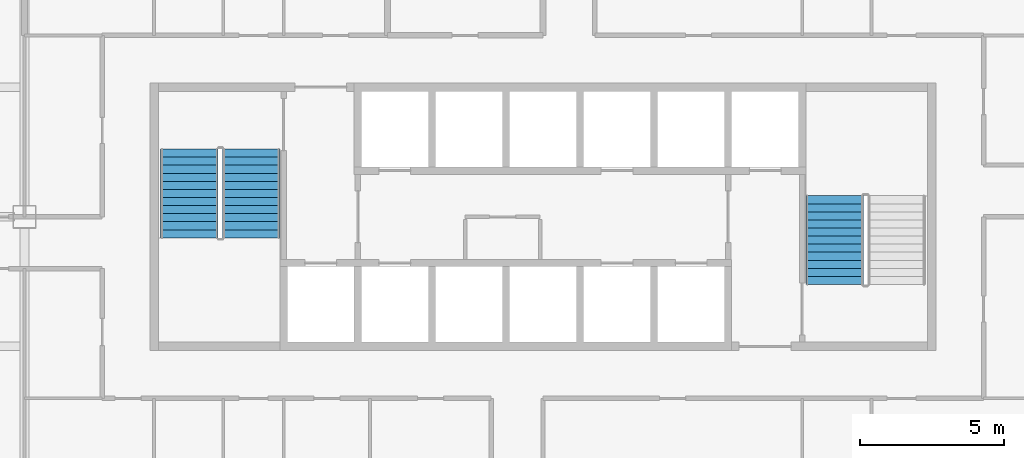
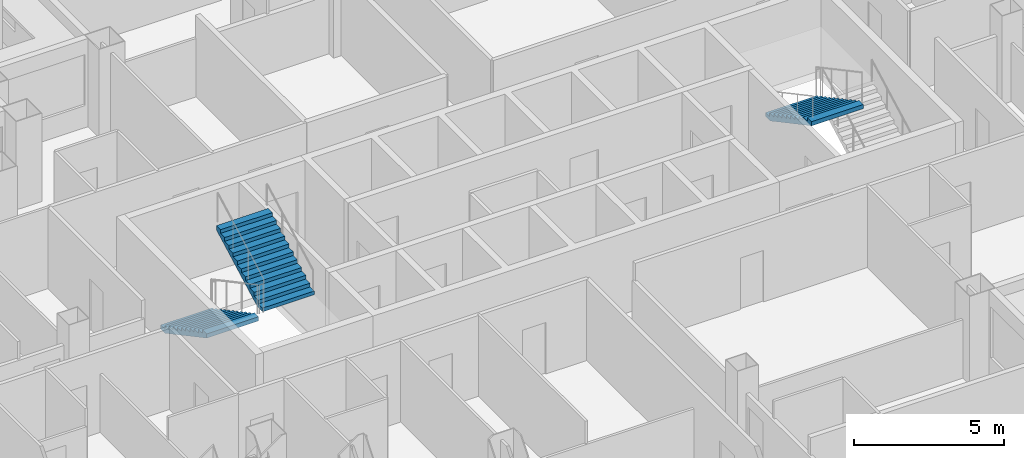
# One storey, part 11 of 19: 3 stair flights, 2 elements without a shape of their own.
"""IFC4 building model written with IfcOpenShell, lengths in metres."""

from ifc_helpers import new_model, si_unit, direction, frame, origin, place, context, subcontext, project, spatial, polygons, material, type_object, element, aggregate, save


model = new_model("IFC4")

# Units and contexts
model_context = context("Model", 3, precision=1e-05, world=origin(), true_north=direction((0.0, 1.0)))
body_context = subcontext(model_context, "Body", "Model", "MODEL_VIEW")
ifc_project = project(units=[si_unit("LENGTHUNIT", "METRE"), si_unit("AREAUNIT", "SQUARE_METRE"), si_unit("VOLUMEUNIT", "CUBIC_METRE"), si_unit("PLANEANGLEUNIT", "RADIAN"), si_unit("MASSUNIT", "GRAM", prefix="KILO")], contexts=[model_context])

# Site, building, storey
site_placement = place(None, origin())
site = spatial("IfcSite", under=ifc_project, at=site_placement, CompositionType="ELEMENT")
building_placement = place(site_placement, origin())
building = spatial("IfcBuilding", under=site, at=building_placement, Name="Caravel Reach Hotel and Residences", CompositionType="ELEMENT")
storey_placement = place(building_placement, frame((0.0, 0.0, 63.60009765625)))
storey = spatial("IfcBuildingStorey", under=building, at=storey_placement, Name="L14", CompositionType="ELEMENT", Elevation=63.60009765625)

# Stair, stair flights
ifc_material_1 = material(Name="Concrete C40", Category="concrete")
stair_type = type_object("IfcStairType", Name="Core stair", PredefinedType="HALF_TURN_STAIR", material=ifc_material_1)
stair_1_placement = place(storey_placement, origin())
stair_1 = element("IfcStair", 1, at=stair_1_placement, inside=storey, type_object=stair_type, Name="L14 Exit stair A", PredefinedType="HALF_TURN_STAIR")
ifc_material_2 = material(Name="Concrete C40", Category="concrete")
stair_flight_type = type_object("IfcStairFlightType", Name="Core stair flight", PredefinedType="STRAIGHT", material=ifc_material_2)
stair_flight_1_placement = place(storey_placement, frame((19.22509765625, 29.35009765625, 0.0), z_axis=(0.0, 0.0, 1.0), x_axis=(0.0, -1.0, 0.0)))
stair_flight_1 = element("IfcStairFlight", 2, at=stair_flight_1_placement, type_object=stair_flight_type, Name="ST-A flight 1", NumberOfRisers=12, NumberOfTreads=11, PredefinedType="STRAIGHT", RiserHeight=0.15, TreadLength=0.28, context=body_context, shape_type="Tessellation", body=[
    polygons([(0.3174408016601862, 1.0, 0.0), (0.3174408016601862, 0.6666666666666667, 0.0), (0.3174408016601862, 0.33333333333333337, 0.0), (0.3174408016601862, 0.0, 0.0), (0.3174408016601862, -0.33333333333333326, 0.0), (0.3174408016601862, -0.6666666666666667, 0.0), (0.3174408016601862, -1.0, 0.0), (3.081, 1.0, 1.479942427682043), (3.081, 0.6666666666666667, 1.479942427682043), (3.081, 0.33333333333333337, 1.479942427682043), (3.081, 0.0, 1.479942427682043), (3.081, -0.33333333333333326, 1.479942427682043), (3.081, -0.6666666666666667, 1.479942427682043), (3.081, -1.0, 1.479942427682043), (3.081, 1.0, 1.65), (3.081, 0.6666666666666667, 1.65), (3.081, 0.33333333333333337, 1.65), (3.081, 0.0, 1.65), (3.081, -0.33333333333333326, 1.65), (3.081, -0.6666666666666667, 1.65), (3.081, -1.0, 1.65), (2.8000000000000003, 1.0, 1.65), (2.8000000000000003, 0.6666666666666667, 1.65), (2.8000000000000003, 0.33333333333333337, 1.65), (2.8000000000000003, 0.0, 1.65), (2.8000000000000003, -0.33333333333333326, 1.65), (2.8000000000000003, -0.6666666666666667, 1.65), (2.8000000000000003, -1.0, 1.65), (2.8000000000000003, 1.0, 1.5), (2.8000000000000003, 0.6666666666666667, 1.5), (2.8000000000000003, 0.33333333333333337, 1.5), (2.8000000000000003, 0.0, 1.5), (2.8000000000000003, -0.33333333333333326, 1.5), (2.8000000000000003, -0.6666666666666667, 1.5), (2.8000000000000003, -1.0, 1.5), (2.5200000000000005, 1.0, 1.5), (2.5200000000000005, 0.6666666666666667, 1.5), (2.5200000000000005, 0.33333333333333337, 1.5), (2.5200000000000005, 0.0, 1.5), (2.5200000000000005, -0.33333333333333326, 1.5), (2.5200000000000005, -0.6666666666666667, 1.5), (2.5200000000000005, -1.0, 1.5), (2.5200000000000005, 1.0, 1.3499999999999999), (2.5200000000000005, 0.6666666666666667, 1.3499999999999999), (2.5200000000000005, 0.33333333333333337, 1.3499999999999999), (2.5200000000000005, 0.0, 1.3499999999999999), (2.5200000000000005, -0.33333333333333326, 1.3499999999999999), (2.5200000000000005, -0.6666666666666667, 1.3499999999999999), (2.5200000000000005, -1.0, 1.3499999999999999), (2.24, 1.0, 1.3499999999999999), (2.24, 0.6666666666666667, 1.3499999999999999), (2.24, 0.33333333333333337, 1.3499999999999999), (2.24, 0.0, 1.3499999999999999), (2.24, -0.33333333333333326, 1.3499999999999999), (2.24, -0.6666666666666667, 1.3499999999999999), (2.24, -1.0, 1.3499999999999999), (2.24, 1.0, 1.2), (2.24, 0.6666666666666667, 1.2), (2.24, 0.33333333333333337, 1.2), (2.24, 0.0, 1.2), (2.24, -0.33333333333333326, 1.2), (2.24, -0.6666666666666667, 1.2), (2.24, -1.0, 1.2), (1.9600000000000002, 1.0, 1.2), (1.9600000000000002, 0.6666666666666667, 1.2), (1.9600000000000002, 0.33333333333333337, 1.2), (1.9600000000000002, 0.0, 1.2), (1.9600000000000002, -0.33333333333333326, 1.2), (1.9600000000000002, -0.6666666666666667, 1.2), (1.9600000000000002, -1.0, 1.2), (1.9600000000000002, 1.0, 1.05), (1.9600000000000002, 0.6666666666666667, 1.05), (1.9600000000000002, 0.33333333333333337, 1.05), (1.9600000000000002, 0.0, 1.05), (1.9600000000000002, -0.33333333333333326, 1.05), (1.9600000000000002, -0.6666666666666667, 1.05), (1.9600000000000002, -1.0, 1.05), (1.6800000000000002, 1.0, 1.05), (1.6800000000000002, 0.6666666666666667, 1.05), (1.6800000000000002, 0.33333333333333337, 1.05), (1.6800000000000002, 0.0, 1.05), (1.6800000000000002, -0.33333333333333326, 1.05), (1.6800000000000002, -0.6666666666666667, 1.05), (1.6800000000000002, -1.0, 1.05), (1.6800000000000002, 1.0, 0.8999999999999999), (1.6800000000000002, 0.6666666666666667, 0.8999999999999999), (1.6800000000000002, 0.33333333333333337, 0.8999999999999999), (1.6800000000000002, 0.0, 0.8999999999999999), (1.6800000000000002, -0.33333333333333326, 0.8999999999999999), (1.6800000000000002, -0.6666666666666667, 0.8999999999999999), (1.6800000000000002, -1.0, 0.8999999999999999), (1.4000000000000001, 1.0, 0.8999999999999999), (1.4000000000000001, 0.6666666666666667, 0.8999999999999999), (1.4000000000000001, 0.33333333333333337, 0.8999999999999999), (1.4000000000000001, 0.0, 0.8999999999999999), (1.4000000000000001, -0.33333333333333326, 0.8999999999999999), (1.4000000000000001, -0.6666666666666667, 0.8999999999999999), (1.4000000000000001, -1.0, 0.8999999999999999), (1.4000000000000001, 1.0, 0.75), (1.4000000000000001, 0.6666666666666667, 0.75), (1.4000000000000001, 0.33333333333333337, 0.75), (1.4000000000000001, 0.0, 0.75), (1.4000000000000001, -0.33333333333333326, 0.75), (1.4000000000000001, -0.6666666666666667, 0.75), (1.4000000000000001, -1.0, 0.75), (1.12, 1.0, 0.75), (1.12, 0.6666666666666667, 0.75), (1.12, 0.33333333333333337, 0.75), (1.12, 0.0, 0.75), (1.12, -0.33333333333333326, 0.75), (1.12, -0.6666666666666667, 0.75), (1.12, -1.0, 0.75), (1.12, 1.0, 0.6), (1.12, 0.6666666666666667, 0.6), (1.12, 0.33333333333333337, 0.6), (1.12, 0.0, 0.6), (1.12, -0.33333333333333326, 0.6), (1.12, -0.6666666666666667, 0.6), (1.12, -1.0, 0.6), (0.8400000000000001, 1.0, 0.6), (0.8400000000000001, 0.6666666666666667, 0.6), (0.8400000000000001, 0.33333333333333337, 0.6), (0.8400000000000001, 0.0, 0.6), (0.8400000000000001, -0.33333333333333326, 0.6), (0.8400000000000001, -0.6666666666666667, 0.6), (0.8400000000000001, -1.0, 0.6), (0.8400000000000001, 1.0, 0.44999999999999996), (0.8400000000000001, 0.6666666666666667, 0.44999999999999996), (0.8400000000000001, 0.33333333333333337, 0.44999999999999996), (0.8400000000000001, 0.0, 0.44999999999999996), (0.8400000000000001, -0.33333333333333326, 0.44999999999999996), (0.8400000000000001, -0.6666666666666667, 0.44999999999999996), (0.8400000000000001, -1.0, 0.44999999999999996), (0.56, 1.0, 0.44999999999999996), (0.56, 0.6666666666666667, 0.44999999999999996), (0.56, 0.33333333333333337, 0.44999999999999996), (0.56, 0.0, 0.44999999999999996), (0.56, -0.33333333333333326, 0.44999999999999996), (0.56, -0.6666666666666667, 0.44999999999999996), (0.56, -1.0, 0.44999999999999996), (0.56, 1.0, 0.3), (0.56, 0.6666666666666667, 0.3), (0.56, 0.33333333333333337, 0.3), (0.56, 0.0, 0.3), (0.56, -0.33333333333333326, 0.3), (0.56, -0.6666666666666667, 0.3), (0.56, -1.0, 0.3), (0.28, 1.0, 0.3), (0.28, 0.6666666666666667, 0.3), (0.28, 0.33333333333333337, 0.3), (0.28, 0.0, 0.3), (0.28, -0.33333333333333326, 0.3), (0.28, -0.6666666666666667, 0.3), (0.28, -1.0, 0.3), (0.28, 1.0, 0.15), (0.28, 0.6666666666666667, 0.15), (0.28, 0.33333333333333337, 0.15), (0.28, 0.0, 0.15), (0.28, -0.33333333333333326, 0.15), (0.28, -0.6666666666666667, 0.15), (0.28, -1.0, 0.15), (-0.001, 1.0, 0.15), (-0.001, 0.6666666666666667, 0.15), (-0.001, 0.33333333333333337, 0.15), (-0.001, 0.0, 0.15), (-0.001, -0.33333333333333326, 0.15), (-0.001, -0.6666666666666667, 0.15), (-0.001, -1.0, 0.15), (-0.001, 1.0, 0.0), (-0.001, 0.6666666666666667, 0.0), (-0.001, 0.33333333333333337, 0.0), (-0.001, 0.0, 0.0), (-0.001, -0.33333333333333326, 0.0), (-0.001, -0.6666666666666667, 0.0), (-0.001, -1.0, 0.0)], [[[169, 162, 155, 148, 141, 134, 127, 120, 113, 106, 99, 92, 85, 78, 71, 64, 57, 50, 43, 36, 29, 22, 15, 8, 1]], [[7, 14, 21, 28, 35, 42, 49, 56, 63, 70, 77, 84, 91, 98, 105, 112, 119, 126, 133, 140, 147, 154, 161, 168, 175]], [[1, 8, 9, 2]], [[2, 9, 10, 3]], [[3, 10, 11, 4]], [[4, 11, 12, 5]], [[5, 12, 13, 6]], [[6, 13, 14, 7]], [[8, 15, 16, 9]], [[9, 16, 17, 10]], [[10, 17, 18, 11]], [[11, 18, 19, 12]], [[12, 19, 20, 13]], [[13, 20, 21, 14]], [[15, 22, 23, 16]], [[16, 23, 24, 17]], [[17, 24, 25, 18]], [[18, 25, 26, 19]], [[19, 26, 27, 20]], [[20, 27, 28, 21]], [[22, 29, 30, 23]], [[23, 30, 31, 24]], [[24, 31, 32, 25]], [[25, 32, 33, 26]], [[26, 33, 34, 27]], [[27, 34, 35, 28]], [[29, 36, 37, 30]], [[30, 37, 38, 31]], [[31, 38, 39, 32]], [[32, 39, 40, 33]], [[33, 40, 41, 34]], [[34, 41, 42, 35]], [[36, 43, 44, 37]], [[37, 44, 45, 38]], [[38, 45, 46, 39]], [[39, 46, 47, 40]], [[40, 47, 48, 41]], [[41, 48, 49, 42]], [[43, 50, 51, 44]], [[44, 51, 52, 45]], [[45, 52, 53, 46]], [[46, 53, 54, 47]], [[47, 54, 55, 48]], [[48, 55, 56, 49]], [[50, 57, 58, 51]], [[51, 58, 59, 52]], [[52, 59, 60, 53]], [[53, 60, 61, 54]], [[54, 61, 62, 55]], [[55, 62, 63, 56]], [[57, 64, 65, 58]], [[58, 65, 66, 59]], [[59, 66, 67, 60]], [[60, 67, 68, 61]], [[61, 68, 69, 62]], [[62, 69, 70, 63]], [[64, 71, 72, 65]], [[65, 72, 73, 66]], [[66, 73, 74, 67]], [[67, 74, 75, 68]], [[68, 75, 76, 69]], [[69, 76, 77, 70]], [[71, 78, 79, 72]], [[72, 79, 80, 73]], [[73, 80, 81, 74]], [[74, 81, 82, 75]], [[75, 82, 83, 76]], [[76, 83, 84, 77]], [[78, 85, 86, 79]], [[79, 86, 87, 80]], [[80, 87, 88, 81]], [[81, 88, 89, 82]], [[82, 89, 90, 83]], [[83, 90, 91, 84]], [[85, 92, 93, 86]], [[86, 93, 94, 87]], [[87, 94, 95, 88]], [[88, 95, 96, 89]], [[89, 96, 97, 90]], [[90, 97, 98, 91]], [[92, 99, 100, 93]], [[93, 100, 101, 94]], [[94, 101, 102, 95]], [[95, 102, 103, 96]], [[96, 103, 104, 97]], [[97, 104, 105, 98]], [[99, 106, 107, 100]], [[100, 107, 108, 101]], [[101, 108, 109, 102]], [[102, 109, 110, 103]], [[103, 110, 111, 104]], [[104, 111, 112, 105]], [[106, 113, 114, 107]], [[107, 114, 115, 108]], [[108, 115, 116, 109]], [[109, 116, 117, 110]], [[110, 117, 118, 111]], [[111, 118, 119, 112]], [[113, 120, 121, 114]], [[114, 121, 122, 115]], [[115, 122, 123, 116]], [[116, 123, 124, 117]], [[117, 124, 125, 118]], [[118, 125, 126, 119]], [[120, 127, 128, 121]], [[121, 128, 129, 122]], [[122, 129, 130, 123]], [[123, 130, 131, 124]], [[124, 131, 132, 125]], [[125, 132, 133, 126]], [[127, 134, 135, 128]], [[128, 135, 136, 129]], [[129, 136, 137, 130]], [[130, 137, 138, 131]], [[131, 138, 139, 132]], [[132, 139, 140, 133]], [[134, 141, 142, 135]], [[135, 142, 143, 136]], [[136, 143, 144, 137]], [[137, 144, 145, 138]], [[138, 145, 146, 139]], [[139, 146, 147, 140]], [[141, 148, 149, 142]], [[142, 149, 150, 143]], [[143, 150, 151, 144]], [[144, 151, 152, 145]], [[145, 152, 153, 146]], [[146, 153, 154, 147]], [[148, 155, 156, 149]], [[149, 156, 157, 150]], [[150, 157, 158, 151]], [[151, 158, 159, 152]], [[152, 159, 160, 153]], [[153, 160, 161, 154]], [[155, 162, 163, 156]], [[156, 163, 164, 157]], [[157, 164, 165, 158]], [[158, 165, 166, 159]], [[159, 166, 167, 160]], [[160, 167, 168, 161]], [[162, 169, 170, 163]], [[163, 170, 171, 164]], [[164, 171, 172, 165]], [[165, 172, 173, 166]], [[166, 173, 174, 167]], [[167, 174, 175, 168]], [[169, 1, 2, 170]], [[170, 2, 3, 171]], [[171, 3, 4, 172]], [[172, 4, 5, 173]], [[173, 5, 6, 174]], [[174, 6, 7, 175]]], closed=True),
])
stair_flight_2_placement = place(storey_placement, frame((21.375, 26.27001953125, 1.7998046875), z_axis=(0.0, 0.0, 1.0), x_axis=(0.0, 1.0, 0.0)))
stair_flight_2 = element("IfcStairFlight", 3, at=stair_flight_2_placement, type_object=stair_flight_type, Name="ST-A flight 2", NumberOfRisers=12, NumberOfTreads=11, PredefinedType="STRAIGHT", RiserHeight=0.15, TreadLength=0.28, context=body_context, shape_type="Tessellation", body=[
    polygons([(0.3174408016601862, 1.0, 0.0), (0.3174408016601862, 0.6666666666666667, 0.0), (0.3174408016601862, 0.33333333333333337, 0.0), (0.3174408016601862, 0.0, 0.0), (0.3174408016601862, -0.33333333333333326, 0.0), (0.3174408016601862, -0.6666666666666667, 0.0), (0.3174408016601862, -1.0, 0.0), (3.081, 1.0, 1.479942427682043), (3.081, 0.6666666666666667, 1.479942427682043), (3.081, 0.33333333333333337, 1.479942427682043), (3.081, 0.0, 1.479942427682043), (3.081, -0.33333333333333326, 1.479942427682043), (3.081, -0.6666666666666667, 1.479942427682043), (3.081, -1.0, 1.479942427682043), (3.081, 1.0, 1.65), (3.081, 0.6666666666666667, 1.65), (3.081, 0.33333333333333337, 1.65), (3.081, 0.0, 1.65), (3.081, -0.33333333333333326, 1.65), (3.081, -0.6666666666666667, 1.65), (3.081, -1.0, 1.65), (2.8000000000000003, 1.0, 1.65), (2.8000000000000003, 0.6666666666666667, 1.65), (2.8000000000000003, 0.33333333333333337, 1.65), (2.8000000000000003, 0.0, 1.65), (2.8000000000000003, -0.33333333333333326, 1.65), (2.8000000000000003, -0.6666666666666667, 1.65), (2.8000000000000003, -1.0, 1.65), (2.8000000000000003, 1.0, 1.5), (2.8000000000000003, 0.6666666666666667, 1.5), (2.8000000000000003, 0.33333333333333337, 1.5), (2.8000000000000003, 0.0, 1.5), (2.8000000000000003, -0.33333333333333326, 1.5), (2.8000000000000003, -0.6666666666666667, 1.5), (2.8000000000000003, -1.0, 1.5), (2.5200000000000005, 1.0, 1.5), (2.5200000000000005, 0.6666666666666667, 1.5), (2.5200000000000005, 0.33333333333333337, 1.5), (2.5200000000000005, 0.0, 1.5), (2.5200000000000005, -0.33333333333333326, 1.5), (2.5200000000000005, -0.6666666666666667, 1.5), (2.5200000000000005, -1.0, 1.5), (2.5200000000000005, 1.0, 1.3499999999999999), (2.5200000000000005, 0.6666666666666667, 1.3499999999999999), (2.5200000000000005, 0.33333333333333337, 1.3499999999999999), (2.5200000000000005, 0.0, 1.3499999999999999), (2.5200000000000005, -0.33333333333333326, 1.3499999999999999), (2.5200000000000005, -0.6666666666666667, 1.3499999999999999), (2.5200000000000005, -1.0, 1.3499999999999999), (2.24, 1.0, 1.3499999999999999), (2.24, 0.6666666666666667, 1.3499999999999999), (2.24, 0.33333333333333337, 1.3499999999999999), (2.24, 0.0, 1.3499999999999999), (2.24, -0.33333333333333326, 1.3499999999999999), (2.24, -0.6666666666666667, 1.3499999999999999), (2.24, -1.0, 1.3499999999999999), (2.24, 1.0, 1.2), (2.24, 0.6666666666666667, 1.2), (2.24, 0.33333333333333337, 1.2), (2.24, 0.0, 1.2), (2.24, -0.33333333333333326, 1.2), (2.24, -0.6666666666666667, 1.2), (2.24, -1.0, 1.2), (1.9600000000000002, 1.0, 1.2), (1.9600000000000002, 0.6666666666666667, 1.2), (1.9600000000000002, 0.33333333333333337, 1.2), (1.9600000000000002, 0.0, 1.2), (1.9600000000000002, -0.33333333333333326, 1.2), (1.9600000000000002, -0.6666666666666667, 1.2), (1.9600000000000002, -1.0, 1.2), (1.9600000000000002, 1.0, 1.05), (1.9600000000000002, 0.6666666666666667, 1.05), (1.9600000000000002, 0.33333333333333337, 1.05), (1.9600000000000002, 0.0, 1.05), (1.9600000000000002, -0.33333333333333326, 1.05), (1.9600000000000002, -0.6666666666666667, 1.05), (1.9600000000000002, -1.0, 1.05), (1.6800000000000002, 1.0, 1.05), (1.6800000000000002, 0.6666666666666667, 1.05), (1.6800000000000002, 0.33333333333333337, 1.05), (1.6800000000000002, 0.0, 1.05), (1.6800000000000002, -0.33333333333333326, 1.05), (1.6800000000000002, -0.6666666666666667, 1.05), (1.6800000000000002, -1.0, 1.05), (1.6800000000000002, 1.0, 0.8999999999999999), (1.6800000000000002, 0.6666666666666667, 0.8999999999999999), (1.6800000000000002, 0.33333333333333337, 0.8999999999999999), (1.6800000000000002, 0.0, 0.8999999999999999), (1.6800000000000002, -0.33333333333333326, 0.8999999999999999), (1.6800000000000002, -0.6666666666666667, 0.8999999999999999), (1.6800000000000002, -1.0, 0.8999999999999999), (1.4000000000000001, 1.0, 0.8999999999999999), (1.4000000000000001, 0.6666666666666667, 0.8999999999999999), (1.4000000000000001, 0.33333333333333337, 0.8999999999999999), (1.4000000000000001, 0.0, 0.8999999999999999), (1.4000000000000001, -0.33333333333333326, 0.8999999999999999), (1.4000000000000001, -0.6666666666666667, 0.8999999999999999), (1.4000000000000001, -1.0, 0.8999999999999999), (1.4000000000000001, 1.0, 0.75), (1.4000000000000001, 0.6666666666666667, 0.75), (1.4000000000000001, 0.33333333333333337, 0.75), (1.4000000000000001, 0.0, 0.75), (1.4000000000000001, -0.33333333333333326, 0.75), (1.4000000000000001, -0.6666666666666667, 0.75), (1.4000000000000001, -1.0, 0.75), (1.12, 1.0, 0.75), (1.12, 0.6666666666666667, 0.75), (1.12, 0.33333333333333337, 0.75), (1.12, 0.0, 0.75), (1.12, -0.33333333333333326, 0.75), (1.12, -0.6666666666666667, 0.75), (1.12, -1.0, 0.75), (1.12, 1.0, 0.6), (1.12, 0.6666666666666667, 0.6), (1.12, 0.33333333333333337, 0.6), (1.12, 0.0, 0.6), (1.12, -0.33333333333333326, 0.6), (1.12, -0.6666666666666667, 0.6), (1.12, -1.0, 0.6), (0.8400000000000001, 1.0, 0.6), (0.8400000000000001, 0.6666666666666667, 0.6), (0.8400000000000001, 0.33333333333333337, 0.6), (0.8400000000000001, 0.0, 0.6), (0.8400000000000001, -0.33333333333333326, 0.6), (0.8400000000000001, -0.6666666666666667, 0.6), (0.8400000000000001, -1.0, 0.6), (0.8400000000000001, 1.0, 0.44999999999999996), (0.8400000000000001, 0.6666666666666667, 0.44999999999999996), (0.8400000000000001, 0.33333333333333337, 0.44999999999999996), (0.8400000000000001, 0.0, 0.44999999999999996), (0.8400000000000001, -0.33333333333333326, 0.44999999999999996), (0.8400000000000001, -0.6666666666666667, 0.44999999999999996), (0.8400000000000001, -1.0, 0.44999999999999996), (0.56, 1.0, 0.44999999999999996), (0.56, 0.6666666666666667, 0.44999999999999996), (0.56, 0.33333333333333337, 0.44999999999999996), (0.56, 0.0, 0.44999999999999996), (0.56, -0.33333333333333326, 0.44999999999999996), (0.56, -0.6666666666666667, 0.44999999999999996), (0.56, -1.0, 0.44999999999999996), (0.56, 1.0, 0.3), (0.56, 0.6666666666666667, 0.3), (0.56, 0.33333333333333337, 0.3), (0.56, 0.0, 0.3), (0.56, -0.33333333333333326, 0.3), (0.56, -0.6666666666666667, 0.3), (0.56, -1.0, 0.3), (0.28, 1.0, 0.3), (0.28, 0.6666666666666667, 0.3), (0.28, 0.33333333333333337, 0.3), (0.28, 0.0, 0.3), (0.28, -0.33333333333333326, 0.3), (0.28, -0.6666666666666667, 0.3), (0.28, -1.0, 0.3), (0.28, 1.0, 0.15), (0.28, 0.6666666666666667, 0.15), (0.28, 0.33333333333333337, 0.15), (0.28, 0.0, 0.15), (0.28, -0.33333333333333326, 0.15), (0.28, -0.6666666666666667, 0.15), (0.28, -1.0, 0.15), (-0.001, 1.0, 0.15), (-0.001, 0.6666666666666667, 0.15), (-0.001, 0.33333333333333337, 0.15), (-0.001, 0.0, 0.15), (-0.001, -0.33333333333333326, 0.15), (-0.001, -0.6666666666666667, 0.15), (-0.001, -1.0, 0.15), (-0.001, 1.0, 0.0), (-0.001, 0.6666666666666667, 0.0), (-0.001, 0.33333333333333337, 0.0), (-0.001, 0.0, 0.0), (-0.001, -0.33333333333333326, 0.0), (-0.001, -0.6666666666666667, 0.0), (-0.001, -1.0, 0.0)], [[[169, 162, 155, 148, 141, 134, 127, 120, 113, 106, 99, 92, 85, 78, 71, 64, 57, 50, 43, 36, 29, 22, 15, 8, 1]], [[7, 14, 21, 28, 35, 42, 49, 56, 63, 70, 77, 84, 91, 98, 105, 112, 119, 126, 133, 140, 147, 154, 161, 168, 175]], [[1, 8, 9, 2]], [[2, 9, 10, 3]], [[3, 10, 11, 4]], [[4, 11, 12, 5]], [[5, 12, 13, 6]], [[6, 13, 14, 7]], [[8, 15, 16, 9]], [[9, 16, 17, 10]], [[10, 17, 18, 11]], [[11, 18, 19, 12]], [[12, 19, 20, 13]], [[13, 20, 21, 14]], [[15, 22, 23, 16]], [[16, 23, 24, 17]], [[17, 24, 25, 18]], [[18, 25, 26, 19]], [[19, 26, 27, 20]], [[20, 27, 28, 21]], [[22, 29, 30, 23]], [[23, 30, 31, 24]], [[24, 31, 32, 25]], [[25, 32, 33, 26]], [[26, 33, 34, 27]], [[27, 34, 35, 28]], [[29, 36, 37, 30]], [[30, 37, 38, 31]], [[31, 38, 39, 32]], [[32, 39, 40, 33]], [[33, 40, 41, 34]], [[34, 41, 42, 35]], [[36, 43, 44, 37]], [[37, 44, 45, 38]], [[38, 45, 46, 39]], [[39, 46, 47, 40]], [[40, 47, 48, 41]], [[41, 48, 49, 42]], [[43, 50, 51, 44]], [[44, 51, 52, 45]], [[45, 52, 53, 46]], [[46, 53, 54, 47]], [[47, 54, 55, 48]], [[48, 55, 56, 49]], [[50, 57, 58, 51]], [[51, 58, 59, 52]], [[52, 59, 60, 53]], [[53, 60, 61, 54]], [[54, 61, 62, 55]], [[55, 62, 63, 56]], [[57, 64, 65, 58]], [[58, 65, 66, 59]], [[59, 66, 67, 60]], [[60, 67, 68, 61]], [[61, 68, 69, 62]], [[62, 69, 70, 63]], [[64, 71, 72, 65]], [[65, 72, 73, 66]], [[66, 73, 74, 67]], [[67, 74, 75, 68]], [[68, 75, 76, 69]], [[69, 76, 77, 70]], [[71, 78, 79, 72]], [[72, 79, 80, 73]], [[73, 80, 81, 74]], [[74, 81, 82, 75]], [[75, 82, 83, 76]], [[76, 83, 84, 77]], [[78, 85, 86, 79]], [[79, 86, 87, 80]], [[80, 87, 88, 81]], [[81, 88, 89, 82]], [[82, 89, 90, 83]], [[83, 90, 91, 84]], [[85, 92, 93, 86]], [[86, 93, 94, 87]], [[87, 94, 95, 88]], [[88, 95, 96, 89]], [[89, 96, 97, 90]], [[90, 97, 98, 91]], [[92, 99, 100, 93]], [[93, 100, 101, 94]], [[94, 101, 102, 95]], [[95, 102, 103, 96]], [[96, 103, 104, 97]], [[97, 104, 105, 98]], [[99, 106, 107, 100]], [[100, 107, 108, 101]], [[101, 108, 109, 102]], [[102, 109, 110, 103]], [[103, 110, 111, 104]], [[104, 111, 112, 105]], [[106, 113, 114, 107]], [[107, 114, 115, 108]], [[108, 115, 116, 109]], [[109, 116, 117, 110]], [[110, 117, 118, 111]], [[111, 118, 119, 112]], [[113, 120, 121, 114]], [[114, 121, 122, 115]], [[115, 122, 123, 116]], [[116, 123, 124, 117]], [[117, 124, 125, 118]], [[118, 125, 126, 119]], [[120, 127, 128, 121]], [[121, 128, 129, 122]], [[122, 129, 130, 123]], [[123, 130, 131, 124]], [[124, 131, 132, 125]], [[125, 132, 133, 126]], [[127, 134, 135, 128]], [[128, 135, 136, 129]], [[129, 136, 137, 130]], [[130, 137, 138, 131]], [[131, 138, 139, 132]], [[132, 139, 140, 133]], [[134, 141, 142, 135]], [[135, 142, 143, 136]], [[136, 143, 144, 137]], [[137, 144, 145, 138]], [[138, 145, 146, 139]], [[139, 146, 147, 140]], [[141, 148, 149, 142]], [[142, 149, 150, 143]], [[143, 150, 151, 144]], [[144, 151, 152, 145]], [[145, 152, 153, 146]], [[146, 153, 154, 147]], [[148, 155, 156, 149]], [[149, 156, 157, 150]], [[150, 157, 158, 151]], [[151, 158, 159, 152]], [[152, 159, 160, 153]], [[153, 160, 161, 154]], [[155, 162, 163, 156]], [[156, 163, 164, 157]], [[157, 164, 165, 158]], [[158, 165, 166, 159]], [[159, 166, 167, 160]], [[160, 167, 168, 161]], [[162, 169, 170, 163]], [[163, 170, 171, 164]], [[164, 171, 172, 165]], [[165, 172, 173, 166]], [[166, 173, 174, 167]], [[167, 174, 175, 168]], [[169, 1, 2, 170]], [[170, 2, 3, 171]], [[171, 3, 4, 172]], [[172, 4, 5, 173]], [[173, 5, 6, 174]], [[174, 6, 7, 175]]], closed=True),
])
aggregate(stair_1, [stair_flight_1, stair_flight_2])

# Stair, stair flight
stair_2_placement = place(storey_placement, origin())
stair_2 = element("IfcStair", 4, at=stair_2_placement, inside=storey, type_object=stair_type, Name="L14 Exit stair B", PredefinedType="HALF_TURN_STAIR")
stair_flight_3_placement = place(storey_placement, frame((41.625, 27.72998046875, 1.7998046875), z_axis=(0.0, 0.0, 1.0), x_axis=(0.0, -1.0, 0.0)))
stair_flight_3 = element("IfcStairFlight", 5, at=stair_flight_3_placement, type_object=stair_flight_type, Name="ST-B flight 2", NumberOfRisers=12, NumberOfTreads=11, PredefinedType="STRAIGHT", RiserHeight=0.15, TreadLength=0.28, context=body_context, shape_type="Tessellation", body=[
    polygons([(0.3174408016601862, 1.0, 0.0), (0.3174408016601862, 0.6666666666666667, 0.0), (0.3174408016601862, 0.33333333333333337, 0.0), (0.3174408016601862, 0.0, 0.0), (0.3174408016601862, -0.33333333333333326, 0.0), (0.3174408016601862, -0.6666666666666667, 0.0), (0.3174408016601862, -1.0, 0.0), (3.081, 1.0, 1.479942427682043), (3.081, 0.6666666666666667, 1.479942427682043), (3.081, 0.33333333333333337, 1.479942427682043), (3.081, 0.0, 1.479942427682043), (3.081, -0.33333333333333326, 1.479942427682043), (3.081, -0.6666666666666667, 1.479942427682043), (3.081, -1.0, 1.479942427682043), (3.081, 1.0, 1.65), (3.081, 0.6666666666666667, 1.65), (3.081, 0.33333333333333337, 1.65), (3.081, 0.0, 1.65), (3.081, -0.33333333333333326, 1.65), (3.081, -0.6666666666666667, 1.65), (3.081, -1.0, 1.65), (2.8000000000000003, 1.0, 1.65), (2.8000000000000003, 0.6666666666666667, 1.65), (2.8000000000000003, 0.33333333333333337, 1.65), (2.8000000000000003, 0.0, 1.65), (2.8000000000000003, -0.33333333333333326, 1.65), (2.8000000000000003, -0.6666666666666667, 1.65), (2.8000000000000003, -1.0, 1.65), (2.8000000000000003, 1.0, 1.5), (2.8000000000000003, 0.6666666666666667, 1.5), (2.8000000000000003, 0.33333333333333337, 1.5), (2.8000000000000003, 0.0, 1.5), (2.8000000000000003, -0.33333333333333326, 1.5), (2.8000000000000003, -0.6666666666666667, 1.5), (2.8000000000000003, -1.0, 1.5), (2.5200000000000005, 1.0, 1.5), (2.5200000000000005, 0.6666666666666667, 1.5), (2.5200000000000005, 0.33333333333333337, 1.5), (2.5200000000000005, 0.0, 1.5), (2.5200000000000005, -0.33333333333333326, 1.5), (2.5200000000000005, -0.6666666666666667, 1.5), (2.5200000000000005, -1.0, 1.5), (2.5200000000000005, 1.0, 1.3499999999999999), (2.5200000000000005, 0.6666666666666667, 1.3499999999999999), (2.5200000000000005, 0.33333333333333337, 1.3499999999999999), (2.5200000000000005, 0.0, 1.3499999999999999), (2.5200000000000005, -0.33333333333333326, 1.3499999999999999), (2.5200000000000005, -0.6666666666666667, 1.3499999999999999), (2.5200000000000005, -1.0, 1.3499999999999999), (2.24, 1.0, 1.3499999999999999), (2.24, 0.6666666666666667, 1.3499999999999999), (2.24, 0.33333333333333337, 1.3499999999999999), (2.24, 0.0, 1.3499999999999999), (2.24, -0.33333333333333326, 1.3499999999999999), (2.24, -0.6666666666666667, 1.3499999999999999), (2.24, -1.0, 1.3499999999999999), (2.24, 1.0, 1.2), (2.24, 0.6666666666666667, 1.2), (2.24, 0.33333333333333337, 1.2), (2.24, 0.0, 1.2), (2.24, -0.33333333333333326, 1.2), (2.24, -0.6666666666666667, 1.2), (2.24, -1.0, 1.2), (1.9600000000000002, 1.0, 1.2), (1.9600000000000002, 0.6666666666666667, 1.2), (1.9600000000000002, 0.33333333333333337, 1.2), (1.9600000000000002, 0.0, 1.2), (1.9600000000000002, -0.33333333333333326, 1.2), (1.9600000000000002, -0.6666666666666667, 1.2), (1.9600000000000002, -1.0, 1.2), (1.9600000000000002, 1.0, 1.05), (1.9600000000000002, 0.6666666666666667, 1.05), (1.9600000000000002, 0.33333333333333337, 1.05), (1.9600000000000002, 0.0, 1.05), (1.9600000000000002, -0.33333333333333326, 1.05), (1.9600000000000002, -0.6666666666666667, 1.05), (1.9600000000000002, -1.0, 1.05), (1.6800000000000002, 1.0, 1.05), (1.6800000000000002, 0.6666666666666667, 1.05), (1.6800000000000002, 0.33333333333333337, 1.05), (1.6800000000000002, 0.0, 1.05), (1.6800000000000002, -0.33333333333333326, 1.05), (1.6800000000000002, -0.6666666666666667, 1.05), (1.6800000000000002, -1.0, 1.05), (1.6800000000000002, 1.0, 0.8999999999999999), (1.6800000000000002, 0.6666666666666667, 0.8999999999999999), (1.6800000000000002, 0.33333333333333337, 0.8999999999999999), (1.6800000000000002, 0.0, 0.8999999999999999), (1.6800000000000002, -0.33333333333333326, 0.8999999999999999), (1.6800000000000002, -0.6666666666666667, 0.8999999999999999), (1.6800000000000002, -1.0, 0.8999999999999999), (1.4000000000000001, 1.0, 0.8999999999999999), (1.4000000000000001, 0.6666666666666667, 0.8999999999999999), (1.4000000000000001, 0.33333333333333337, 0.8999999999999999), (1.4000000000000001, 0.0, 0.8999999999999999), (1.4000000000000001, -0.33333333333333326, 0.8999999999999999), (1.4000000000000001, -0.6666666666666667, 0.8999999999999999), (1.4000000000000001, -1.0, 0.8999999999999999), (1.4000000000000001, 1.0, 0.75), (1.4000000000000001, 0.6666666666666667, 0.75), (1.4000000000000001, 0.33333333333333337, 0.75), (1.4000000000000001, 0.0, 0.75), (1.4000000000000001, -0.33333333333333326, 0.75), (1.4000000000000001, -0.6666666666666667, 0.75), (1.4000000000000001, -1.0, 0.75), (1.12, 1.0, 0.75), (1.12, 0.6666666666666667, 0.75), (1.12, 0.33333333333333337, 0.75), (1.12, 0.0, 0.75), (1.12, -0.33333333333333326, 0.75), (1.12, -0.6666666666666667, 0.75), (1.12, -1.0, 0.75), (1.12, 1.0, 0.6), (1.12, 0.6666666666666667, 0.6), (1.12, 0.33333333333333337, 0.6), (1.12, 0.0, 0.6), (1.12, -0.33333333333333326, 0.6), (1.12, -0.6666666666666667, 0.6), (1.12, -1.0, 0.6), (0.8400000000000001, 1.0, 0.6), (0.8400000000000001, 0.6666666666666667, 0.6), (0.8400000000000001, 0.33333333333333337, 0.6), (0.8400000000000001, 0.0, 0.6), (0.8400000000000001, -0.33333333333333326, 0.6), (0.8400000000000001, -0.6666666666666667, 0.6), (0.8400000000000001, -1.0, 0.6), (0.8400000000000001, 1.0, 0.44999999999999996), (0.8400000000000001, 0.6666666666666667, 0.44999999999999996), (0.8400000000000001, 0.33333333333333337, 0.44999999999999996), (0.8400000000000001, 0.0, 0.44999999999999996), (0.8400000000000001, -0.33333333333333326, 0.44999999999999996), (0.8400000000000001, -0.6666666666666667, 0.44999999999999996), (0.8400000000000001, -1.0, 0.44999999999999996), (0.56, 1.0, 0.44999999999999996), (0.56, 0.6666666666666667, 0.44999999999999996), (0.56, 0.33333333333333337, 0.44999999999999996), (0.56, 0.0, 0.44999999999999996), (0.56, -0.33333333333333326, 0.44999999999999996), (0.56, -0.6666666666666667, 0.44999999999999996), (0.56, -1.0, 0.44999999999999996), (0.56, 1.0, 0.3), (0.56, 0.6666666666666667, 0.3), (0.56, 0.33333333333333337, 0.3), (0.56, 0.0, 0.3), (0.56, -0.33333333333333326, 0.3), (0.56, -0.6666666666666667, 0.3), (0.56, -1.0, 0.3), (0.28, 1.0, 0.3), (0.28, 0.6666666666666667, 0.3), (0.28, 0.33333333333333337, 0.3), (0.28, 0.0, 0.3), (0.28, -0.33333333333333326, 0.3), (0.28, -0.6666666666666667, 0.3), (0.28, -1.0, 0.3), (0.28, 1.0, 0.15), (0.28, 0.6666666666666667, 0.15), (0.28, 0.33333333333333337, 0.15), (0.28, 0.0, 0.15), (0.28, -0.33333333333333326, 0.15), (0.28, -0.6666666666666667, 0.15), (0.28, -1.0, 0.15), (-0.001, 1.0, 0.15), (-0.001, 0.6666666666666667, 0.15), (-0.001, 0.33333333333333337, 0.15), (-0.001, 0.0, 0.15), (-0.001, -0.33333333333333326, 0.15), (-0.001, -0.6666666666666667, 0.15), (-0.001, -1.0, 0.15), (-0.001, 1.0, 0.0), (-0.001, 0.6666666666666667, 0.0), (-0.001, 0.33333333333333337, 0.0), (-0.001, 0.0, 0.0), (-0.001, -0.33333333333333326, 0.0), (-0.001, -0.6666666666666667, 0.0), (-0.001, -1.0, 0.0)], [[[169, 162, 155, 148, 141, 134, 127, 120, 113, 106, 99, 92, 85, 78, 71, 64, 57, 50, 43, 36, 29, 22, 15, 8, 1]], [[7, 14, 21, 28, 35, 42, 49, 56, 63, 70, 77, 84, 91, 98, 105, 112, 119, 126, 133, 140, 147, 154, 161, 168, 175]], [[1, 8, 9, 2]], [[2, 9, 10, 3]], [[3, 10, 11, 4]], [[4, 11, 12, 5]], [[5, 12, 13, 6]], [[6, 13, 14, 7]], [[8, 15, 16, 9]], [[9, 16, 17, 10]], [[10, 17, 18, 11]], [[11, 18, 19, 12]], [[12, 19, 20, 13]], [[13, 20, 21, 14]], [[15, 22, 23, 16]], [[16, 23, 24, 17]], [[17, 24, 25, 18]], [[18, 25, 26, 19]], [[19, 26, 27, 20]], [[20, 27, 28, 21]], [[22, 29, 30, 23]], [[23, 30, 31, 24]], [[24, 31, 32, 25]], [[25, 32, 33, 26]], [[26, 33, 34, 27]], [[27, 34, 35, 28]], [[29, 36, 37, 30]], [[30, 37, 38, 31]], [[31, 38, 39, 32]], [[32, 39, 40, 33]], [[33, 40, 41, 34]], [[34, 41, 42, 35]], [[36, 43, 44, 37]], [[37, 44, 45, 38]], [[38, 45, 46, 39]], [[39, 46, 47, 40]], [[40, 47, 48, 41]], [[41, 48, 49, 42]], [[43, 50, 51, 44]], [[44, 51, 52, 45]], [[45, 52, 53, 46]], [[46, 53, 54, 47]], [[47, 54, 55, 48]], [[48, 55, 56, 49]], [[50, 57, 58, 51]], [[51, 58, 59, 52]], [[52, 59, 60, 53]], [[53, 60, 61, 54]], [[54, 61, 62, 55]], [[55, 62, 63, 56]], [[57, 64, 65, 58]], [[58, 65, 66, 59]], [[59, 66, 67, 60]], [[60, 67, 68, 61]], [[61, 68, 69, 62]], [[62, 69, 70, 63]], [[64, 71, 72, 65]], [[65, 72, 73, 66]], [[66, 73, 74, 67]], [[67, 74, 75, 68]], [[68, 75, 76, 69]], [[69, 76, 77, 70]], [[71, 78, 79, 72]], [[72, 79, 80, 73]], [[73, 80, 81, 74]], [[74, 81, 82, 75]], [[75, 82, 83, 76]], [[76, 83, 84, 77]], [[78, 85, 86, 79]], [[79, 86, 87, 80]], [[80, 87, 88, 81]], [[81, 88, 89, 82]], [[82, 89, 90, 83]], [[83, 90, 91, 84]], [[85, 92, 93, 86]], [[86, 93, 94, 87]], [[87, 94, 95, 88]], [[88, 95, 96, 89]], [[89, 96, 97, 90]], [[90, 97, 98, 91]], [[92, 99, 100, 93]], [[93, 100, 101, 94]], [[94, 101, 102, 95]], [[95, 102, 103, 96]], [[96, 103, 104, 97]], [[97, 104, 105, 98]], [[99, 106, 107, 100]], [[100, 107, 108, 101]], [[101, 108, 109, 102]], [[102, 109, 110, 103]], [[103, 110, 111, 104]], [[104, 111, 112, 105]], [[106, 113, 114, 107]], [[107, 114, 115, 108]], [[108, 115, 116, 109]], [[109, 116, 117, 110]], [[110, 117, 118, 111]], [[111, 118, 119, 112]], [[113, 120, 121, 114]], [[114, 121, 122, 115]], [[115, 122, 123, 116]], [[116, 123, 124, 117]], [[117, 124, 125, 118]], [[118, 125, 126, 119]], [[120, 127, 128, 121]], [[121, 128, 129, 122]], [[122, 129, 130, 123]], [[123, 130, 131, 124]], [[124, 131, 132, 125]], [[125, 132, 133, 126]], [[127, 134, 135, 128]], [[128, 135, 136, 129]], [[129, 136, 137, 130]], [[130, 137, 138, 131]], [[131, 138, 139, 132]], [[132, 139, 140, 133]], [[134, 141, 142, 135]], [[135, 142, 143, 136]], [[136, 143, 144, 137]], [[137, 144, 145, 138]], [[138, 145, 146, 139]], [[139, 146, 147, 140]], [[141, 148, 149, 142]], [[142, 149, 150, 143]], [[143, 150, 151, 144]], [[144, 151, 152, 145]], [[145, 152, 153, 146]], [[146, 153, 154, 147]], [[148, 155, 156, 149]], [[149, 156, 157, 150]], [[150, 157, 158, 151]], [[151, 158, 159, 152]], [[152, 159, 160, 153]], [[153, 160, 161, 154]], [[155, 162, 163, 156]], [[156, 163, 164, 157]], [[157, 164, 165, 158]], [[158, 165, 166, 159]], [[159, 166, 167, 160]], [[160, 167, 168, 161]], [[162, 169, 170, 163]], [[163, 170, 171, 164]], [[164, 171, 172, 165]], [[165, 172, 173, 166]], [[166, 173, 174, 167]], [[167, 174, 175, 168]], [[169, 1, 2, 170]], [[170, 2, 3, 171]], [[171, 3, 4, 172]], [[172, 4, 5, 173]], [[173, 5, 6, 174]], [[174, 6, 7, 175]]], closed=True),
])
aggregate(stair_2, [stair_flight_3])

save(model, "model.ifc")
